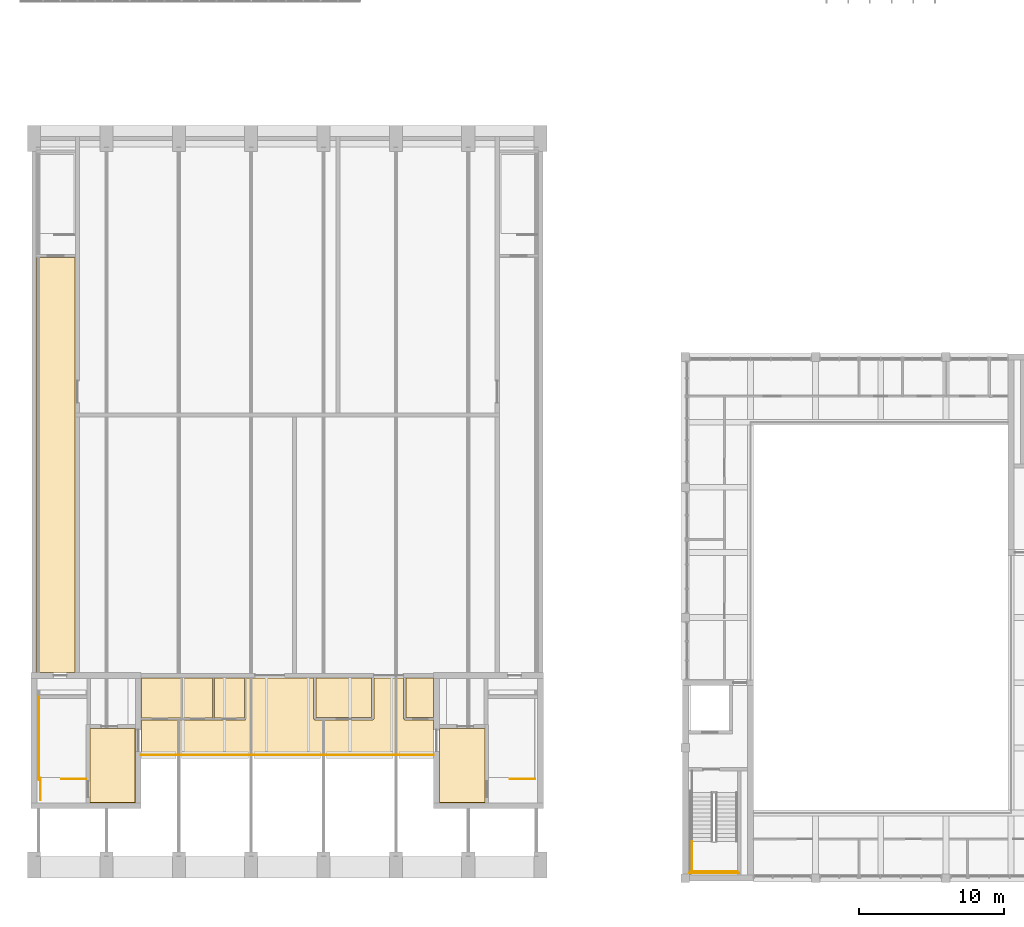
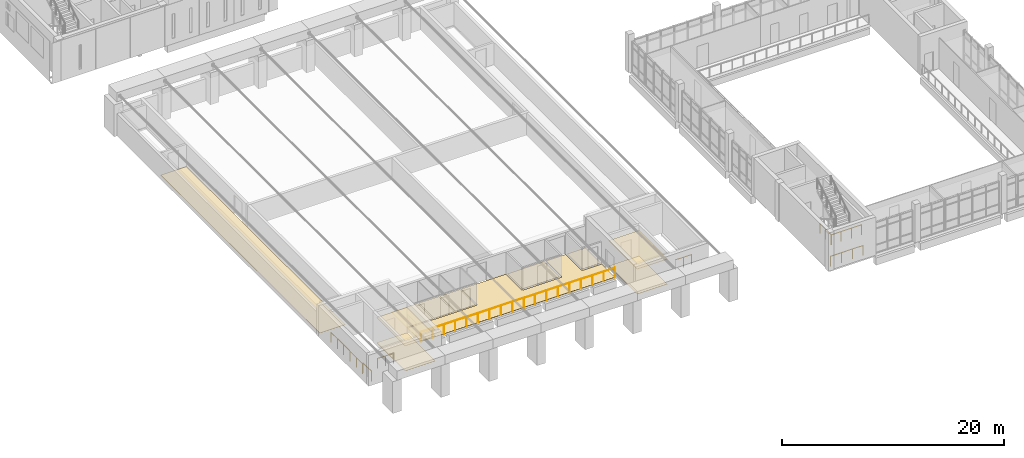
# One storey, part 69 of 92: 11 coverings, 8 railings.
"""IFC4 building model written with IfcOpenShell, lengths in metres."""

from ifc_helpers import new_model, si_unit, direction, frame, origin, origin_2d, place, context, subcontext, project, spatial, polyline, circle, outline, extrude, material, layer, layer_set, type_object, element, save


model = new_model("IFC4")

# Units and contexts
model_context = context("Model", 3, precision=1e-05, world=origin(), true_north=direction((0.0, 1.0)))
body_context = subcontext(model_context, "Body", "Model", "MODEL_VIEW")
ifc_project = project(units=[si_unit("LENGTHUNIT", "METRE"), si_unit("AREAUNIT", "SQUARE_METRE"), si_unit("VOLUMEUNIT", "CUBIC_METRE"), si_unit("PLANEANGLEUNIT", "RADIAN"), si_unit("MASSUNIT", "GRAM", prefix="KILO")], contexts=[model_context])

# Site, building, storey
site_placement = place(None, origin())
site = spatial("IfcSite", under=ifc_project, at=site_placement, CompositionType="ELEMENT")
building_placement = place(site_placement, origin())
building = spatial("IfcBuilding", under=site, at=building_placement, Name="Merrow Basin Faculty of Sciences", CompositionType="ELEMENT")
storey_placement = place(building_placement, frame((0.0, 0.0, 4.5)))
storey = spatial("IfcBuildingStorey", under=building, at=storey_placement, Name="L01", CompositionType="ELEMENT", Elevation=4.5)

# Coverings
ifc_material_1 = material(Name="Carpet tile floor")
ifc_layer_1 = layer(ifc_material_1, 0.02001953125)
ifc_layer_set_1 = layer_set([ifc_layer_1], Name="Carpet tile floor")
covering_type_1 = type_object("IfcCoveringType", Name="Carpet tile floor", PredefinedType="FLOORING", material=ifc_layer_set_1)
covering_1_placement = place(storey_placement, origin())
element("IfcCovering", 1, at=covering_1_placement, inside=storey, type_object=covering_type_1, Name="Floor finish L01-H-016", PredefinedType="FLOORING", context=body_context, shape_type="SweptSolid", body=[
    extrude(outline(polyline([(19.485107421875, 13.840087890625), (23.31494140625, 13.840087890625), (23.31494140625, 11.0849609375), (19.485107421875, 11.0849609375), (19.485107421875, 13.840087890625)])), origin(), (0.0, 0.0, 1.0), 0.02001953125),
])
covering_2_placement = place(storey_placement, origin())
element("IfcCovering", 2, at=covering_2_placement, inside=storey, type_object=covering_type_1, Name="Floor finish L01-H-017", PredefinedType="FLOORING", context=body_context, shape_type="SweptSolid", body=[
    extrude(outline(polyline([(25.68505859375, 13.840087890625), (27.590087890625, 13.840087890625), (27.590087890625, 11.0849609375), (25.68505859375, 11.0849609375), (25.68505859375, 13.840087890625)])), origin(), (0.0, 0.0, 1.0), 0.02001953125),
])
ifc_material_2 = material(Name="Ceramic floor tile")
ifc_layer_2 = layer(ifc_material_2, 0.02001953125)
ifc_layer_set_2 = layer_set([ifc_layer_2], Name="Ceramic floor tile")
covering_type_2 = type_object("IfcCoveringType", Name="Ceramic floor tile", PredefinedType="FLOORING", material=ifc_layer_set_2)
covering_3_placement = place(storey_placement, origin())
element("IfcCovering", 3, at=covering_3_placement, inside=storey, type_object=covering_type_2, Name="Floor finish L01-H-013", PredefinedType="FLOORING", context=body_context, shape_type="SweptSolid", body=[
    extrude(outline(polyline([(7.409912109375, 11.06005859375), (7.409912109375, 13.840087890625), (10.139892578125, 13.840087890625), (10.139892578125, 11.06005859375), (7.409912109375, 11.06005859375)])), origin(), (0.0, 0.0, 1.0), 0.02001953125),
])
covering_4_placement = place(storey_placement, origin())
element("IfcCovering", 4, at=covering_4_placement, inside=storey, type_object=covering_type_2, Name="Floor finish L01-H-014", PredefinedType="FLOORING", context=body_context, shape_type="SweptSolid", body=[
    extrude(outline(polyline([(12.340087890625, 11.06005859375), (10.260009765625, 11.06005859375), (10.260009765625, 13.840087890625), (12.340087890625, 13.840087890625), (12.340087890625, 11.06005859375)])), origin(), (0.0, 0.0, 1.0), 0.02001953125),
])
covering_5_placement = place(storey_placement, origin())
element("IfcCovering", 5, at=covering_5_placement, inside=storey, type_object=covering_type_2, Name="Floor finish L01-H-015", PredefinedType="FLOORING", context=body_context, shape_type="SweptSolid", body=[
    extrude(outline(polyline([(14.5400390625, 13.840087890625), (14.5400390625, 11.06005859375), (12.4599609375, 11.06005859375), (12.4599609375, 13.840087890625), (14.5400390625, 13.840087890625)])), origin(), (0.0, 0.0, 1.0), 0.02001953125),
])
ifc_material_3 = material(Name="Polished terrazzo floor")
ifc_layer_3 = layer(ifc_material_3, 0.02001953125)
ifc_layer_set_3 = layer_set([ifc_layer_3], Name="Polished terrazzo floor")
covering_type_3 = type_object("IfcCoveringType", Name="Polished terrazzo floor", PredefinedType="FLOORING", material=ifc_layer_set_3)
covering_6_placement = place(storey_placement, origin())
element("IfcCovering", 6, at=covering_6_placement, inside=storey, type_object=covering_type_3, Name="Floor finish L01-H-003", PredefinedType="FLOORING", context=body_context, shape_type="SweptSolid", body=[
    extrude(outline(polyline([(3.860107421875, 5.2099609375), (3.860107421875, 10.340087890625), (6.989990234375, 10.340087890625), (6.989990234375, 5.2099609375), (3.860107421875, 5.2099609375)])), origin(), (0.0, 0.0, 1.0), 0.02001953125),
])
covering_7_placement = place(storey_placement, origin())
element("IfcCovering", 7, at=covering_7_placement, inside=storey, type_object=covering_type_3, Name="Floor finish L01-H-007", PredefinedType="FLOORING", context=body_context, shape_type="SweptSolid", body=[
    extrude(outline(polyline([(28.010009765625, 5.2099609375), (28.010009765625, 10.340087890625), (31.139892578125, 10.340087890625), (31.139892578125, 5.2099609375), (28.010009765625, 5.2099609375)])), origin(), (0.0, 0.0, 1.0), 0.02001953125),
])
covering_8_placement = place(storey_placement, origin())
element("IfcCovering", 8, at=covering_8_placement, inside=storey, type_object=covering_type_3, Name="Floor finish L01-H-009", PredefinedType="FLOORING", context=body_context, shape_type="SweptSolid", body=[
    extrude(outline(polyline([(0.159912109375, 42.889892578125), (2.840087890625, 42.889892578125), (2.840087890625, 14.2099609375), (0.159912109375, 14.2099609375), (0.159912109375, 42.889892578125)])), origin(), (0.0, 0.0, 1.0), 0.02001953125),
])
covering_9_placement = place(storey_placement, origin())
element("IfcCovering", 9, at=covering_9_placement, inside=storey, type_object=covering_type_3, Name="Floor finish L01-H-018", PredefinedType="FLOORING", context=body_context, shape_type="SweptSolid", body=[
    extrude(outline(polyline([(7.409912109375, 8.510009765625), (7.409912109375, 10.93994140625), (14.610107421875, 10.93994140625), (14.610107421875, 10.989990234375), (14.659912109375, 10.989990234375), (14.659912109375, 13.840087890625), (19.31494140625, 13.840087890625), (19.31494140625, 10.989990234375), (19.389892578125, 10.989990234375), (19.389892578125, 10.9150390625), (23.409912109375, 10.9150390625), (23.409912109375, 10.989990234375), (23.485107421875, 10.989990234375), (23.485107421875, 13.840087890625), (25.514892578125, 13.840087890625), (25.514892578125, 10.989990234375), (25.590087890625, 10.989990234375), (25.590087890625, 10.9150390625), (27.590087890625, 10.9150390625), (27.590087890625, 8.510009765625), (7.409912109375, 8.510009765625)])), origin(), (0.0, 0.0, 1.0), 0.02001953125),
])

# Railings
ifc_material_4 = material(Name="Steel ASTM A36", Category="steel")
railing_type = type_object("IfcRailingType", Name="Steel guard 1100", PredefinedType="GUARDRAIL", material=ifc_material_4)
railing_1_placement = place(storey_placement, frame((3.60009765625, 6.85009765625, 0.0)))
element("IfcRailing", 10, at=railing_1_placement, inside=storey, type_object=railing_type, Name="L01 ST-V1-W top well guard 1", PredefinedType="GUARDRAIL", context=body_context, shape_type="SweptSolid", body=[
    extrude(circle(Radius=0.02392578125, at=origin_2d()), frame((0.0, 0.0, 1.076171875), z_axis=(-1.0, 0.0, 0.0), x_axis=(0.0, -1.0, 0.0)), (0.0, 0.0, 1.0), 1.7001953125),
    extrude(circle(Radius=0.02099609375, at=origin_2d()), origin(), (0.0, 0.0, 1.0), 1.052001953125),
    extrude(circle(Radius=0.02099609375, at=origin_2d()), frame((-0.85009765625, 0.0, 0.0)), (0.0, 0.0, 1.0), 1.052001953125),
    extrude(circle(Radius=0.02099609375, at=origin_2d()), frame((-1.7001953125, 0.0, 0.0)), (0.0, 0.0, 1.0), 1.052001953125),
])
railing_2_placement = place(storey_placement, frame((0.35009765625, 6.800048828125, 0.0)))
element("IfcRailing", 11, at=railing_2_placement, inside=storey, type_object=railing_type, Name="L01 ST-V1-W top well guard 2", PredefinedType="GUARDRAIL", context=body_context, shape_type="SweptSolid", body=[
    extrude(circle(Radius=0.02392578125, at=origin_2d()), frame((0.0, 0.0, 1.076171875), z_axis=(0.0, 1.0, 0.0), x_axis=(-1.0, 0.0, 0.0)), (0.0, 0.0, 1.0), 5.699951171875),
    extrude(circle(Radius=0.02099609375, at=origin_2d()), origin(), (0.0, 0.0, 1.0), 1.052001953125),
    extrude(circle(Radius=0.02099609375, at=origin_2d()), frame((0.0, 1.139892578125, 0.0)), (0.0, 0.0, 1.0), 1.052001953125),
    extrude(circle(Radius=0.02099609375, at=origin_2d()), frame((0.0, 2.280029296875, 0.0)), (0.0, 0.0, 1.0), 1.052001953125),
    extrude(circle(Radius=0.02099609375, at=origin_2d()), frame((0.0, 3.419921875, 0.0)), (0.0, 0.0, 1.0), 1.052001953125),
    extrude(circle(Radius=0.02099609375, at=origin_2d()), frame((0.0, 4.56005859375, 0.0)), (0.0, 0.0, 1.0), 1.052001953125),
    extrude(circle(Radius=0.02099609375, at=origin_2d()), frame((0.0, 5.699951171875, 0.0)), (0.0, 0.0, 1.0), 1.052001953125),
])
railing_3_placement = place(storey_placement, frame((0.449951171875, 5.39990234375, 0.0)))
element("IfcRailing", 12, at=railing_3_placement, inside=storey, type_object=railing_type, Name="L01 ST-V1-W top well guard 3", PredefinedType="GUARDRAIL", context=body_context, shape_type="SweptSolid", body=[
    extrude(circle(Radius=0.02392578125, at=origin_2d()), frame((0.0, 0.0, 1.076171875), z_axis=(0.0, 1.0, 0.0), x_axis=(-1.0, 0.0, 0.0)), (0.0, 0.0, 1.0), 1.5),
    extrude(circle(Radius=0.02099609375, at=origin_2d()), origin(), (0.0, 0.0, 1.0), 1.052001953125),
    extrude(circle(Radius=0.02099609375, at=origin_2d()), frame((0.0, 0.75, 0.0)), (0.0, 0.0, 1.0), 1.052001953125),
    extrude(circle(Radius=0.02099609375, at=origin_2d()), frame((0.0, 1.5, 0.0)), (0.0, 0.0, 1.0), 1.052001953125),
])
railing_4_placement = place(storey_placement, frame((34.60009765625, 6.85009765625, 0.0)))
element("IfcRailing", 13, at=railing_4_placement, inside=storey, type_object=railing_type, Name="L01 ST-V1-E top well guard 1", PredefinedType="GUARDRAIL", context=body_context, shape_type="SweptSolid", body=[
    extrude(circle(Radius=0.02392578125, at=origin_2d()), frame((0.0, 0.0, 1.076171875), z_axis=(-1.0, 0.0, 0.0), x_axis=(0.0, -1.0, 0.0)), (0.0, 0.0, 1.0), 1.7001953125),
    extrude(circle(Radius=0.02099609375, at=origin_2d()), origin(), (0.0, 0.0, 1.0), 1.052001953125),
    extrude(circle(Radius=0.02099609375, at=origin_2d()), frame((-0.85009765625, 0.0, 0.0)), (0.0, 0.0, 1.0), 1.052001953125),
    extrude(circle(Radius=0.02099609375, at=origin_2d()), frame((-1.7001953125, 0.0, 0.0)), (0.0, 0.0, 1.0), 1.052001953125),
])
railing_5_placement = place(storey_placement, frame((45.449951171875, 2.5400390625, 2.25)))
element("IfcRailing", 14, at=railing_5_placement, inside=storey, type_object=railing_type, Name="L01 ST-V3-W stair guard 3", PredefinedType="GUARDRAIL", context=body_context, shape_type="SweptSolid", body=[
    extrude(circle(Radius=0.02392578125, at=origin_2d()), frame((0.0, 0.0, 1.076171875), z_axis=(0.0, -1.0, 0.0), x_axis=(1.0, 0.0, 0.0)), (0.0, 0.0, 1.0), 2.14013671875),
    extrude(circle(Radius=0.02099609375, at=origin_2d()), origin(), (0.0, 0.0, 1.0), 1.052001953125),
    extrude(circle(Radius=0.02099609375, at=origin_2d()), frame((0.0, -1.070068359375, 0.0)), (0.0, 0.0, 1.0), 1.052001953125),
    extrude(circle(Radius=0.02099609375, at=origin_2d()), frame((0.0, -2.14013671875, 0.0)), (0.0, 0.0, 1.0), 1.052001953125),
])
railing_6_placement = place(storey_placement, frame((45.39990234375, 0.449951171875, 2.25)))
element("IfcRailing", 15, at=railing_6_placement, inside=storey, type_object=railing_type, Name="L01 ST-V3-W stair guard 4", PredefinedType="GUARDRAIL", context=body_context, shape_type="SweptSolid", body=[
    extrude(circle(Radius=0.02392578125, at=origin_2d()), frame((0.0, 0.0, 1.076171875), z_axis=(1.0, 0.0, 0.0), x_axis=(0.0, 1.0, 0.0)), (0.0, 0.0, 1.0), 3.2001953125),
    extrude(circle(Radius=0.02099609375, at=origin_2d()), origin(), (0.0, 0.0, 1.0), 1.052001953125),
    extrude(circle(Radius=0.02099609375, at=origin_2d()), frame((1.066650390625, 0.0, 0.0)), (0.0, 0.0, 1.0), 1.052001953125),
    extrude(circle(Radius=0.02099609375, at=origin_2d()), frame((2.133544921875, 0.0, 0.0)), (0.0, 0.0, 1.0), 1.052001953125),
    extrude(circle(Radius=0.02099609375, at=origin_2d()), frame((3.2001953125, 0.0, 0.0)), (0.0, 0.0, 1.0), 1.052001953125),
])
railing_7_placement = place(storey_placement, frame((45.300048828125, 0.35009765625, 0.0)))
element("IfcRailing", 16, at=railing_7_placement, inside=storey, type_object=railing_type, Name="L01 ST-V3-W stair guard 9", PredefinedType="GUARDRAIL", context=body_context, shape_type="SweptSolid", body=[
    extrude(circle(Radius=0.02392578125, at=origin_2d()), frame((0.0, 0.0, 1.076171875), z_axis=(1.0, 0.0, 0.0), x_axis=(0.0, 1.0, 0.0)), (0.0, 0.0, 1.0), 3.39990234375),
    extrude(circle(Radius=0.02099609375, at=origin_2d()), origin(), (0.0, 0.0, 1.0), 1.052001953125),
    extrude(circle(Radius=0.02099609375, at=origin_2d()), frame((1.13330078125, 0.0, 0.0)), (0.0, 0.0, 1.0), 1.052001953125),
    extrude(circle(Radius=0.02099609375, at=origin_2d()), frame((2.2666015625, 0.0, 0.0)), (0.0, 0.0, 1.0), 1.052001953125),
    extrude(circle(Radius=0.02099609375, at=origin_2d()), frame((3.39990234375, 0.0, 0.0)), (0.0, 0.0, 1.0), 1.052001953125),
])
railing_8_placement = place(storey_placement, frame((7.39990234375, 8.5, 0.0)))
element("IfcRailing", 17, at=railing_8_placement, inside=storey, type_object=railing_type, Name="Gallery guard L01", PredefinedType="GUARDRAIL", context=body_context, shape_type="SweptSolid", body=[
    extrude(circle(Radius=0.02392578125, at=origin_2d()), frame((0.0, 0.0, 1.076171875), z_axis=(1.0, 0.0, 0.0), x_axis=(0.0, 1.0, 0.0)), (0.0, 0.0, 1.0), 20.2001953125),
    extrude(circle(Radius=0.02099609375, at=origin_2d()), origin(), (0.0, 0.0, 1.0), 1.052001953125),
    extrude(circle(Radius=0.02099609375, at=origin_2d()), frame((1.188232421875, 0.0, 0.0)), (0.0, 0.0, 1.0), 1.052001953125),
    extrude(circle(Radius=0.02099609375, at=origin_2d()), frame((2.37646484375, 0.0, 0.0)), (0.0, 0.0, 1.0), 1.052001953125),
    extrude(circle(Radius=0.02099609375, at=origin_2d()), frame((3.564697265625, 0.0, 0.0)), (0.0, 0.0, 1.0), 1.052001953125),
    extrude(circle(Radius=0.02099609375, at=origin_2d()), frame((4.7529296875, 0.0, 0.0)), (0.0, 0.0, 1.0), 1.052001953125),
    extrude(circle(Radius=0.02099609375, at=origin_2d()), frame((5.941162109375, 0.0, 0.0)), (0.0, 0.0, 1.0), 1.052001953125),
    extrude(circle(Radius=0.02099609375, at=origin_2d()), frame((7.12939453125, 0.0, 0.0)), (0.0, 0.0, 1.0), 1.052001953125),
    extrude(circle(Radius=0.02099609375, at=origin_2d()), frame((8.317626953125, 0.0, 0.0)), (0.0, 0.0, 1.0), 1.052001953125),
    extrude(circle(Radius=0.02099609375, at=origin_2d()), frame((9.505859375, 0.0, 0.0)), (0.0, 0.0, 1.0), 1.052001953125),
    extrude(circle(Radius=0.02099609375, at=origin_2d()), frame((10.6943359375, 0.0, 0.0)), (0.0, 0.0, 1.0), 1.052001953125),
    extrude(circle(Radius=0.02099609375, at=origin_2d()), frame((11.882568359375, 0.0, 0.0)), (0.0, 0.0, 1.0), 1.052001953125),
    extrude(circle(Radius=0.02099609375, at=origin_2d()), frame((13.07080078125, 0.0, 0.0)), (0.0, 0.0, 1.0), 1.052001953125),
    extrude(circle(Radius=0.02099609375, at=origin_2d()), frame((14.259033203125, 0.0, 0.0)), (0.0, 0.0, 1.0), 1.052001953125),
    extrude(circle(Radius=0.02099609375, at=origin_2d()), frame((15.447265625, 0.0, 0.0)), (0.0, 0.0, 1.0), 1.052001953125),
    extrude(circle(Radius=0.02099609375, at=origin_2d()), frame((16.635498046875, 0.0, 0.0)), (0.0, 0.0, 1.0), 1.052001953125),
    extrude(circle(Radius=0.02099609375, at=origin_2d()), frame((17.82373046875, 0.0, 0.0)), (0.0, 0.0, 1.0), 1.052001953125),
    extrude(circle(Radius=0.02099609375, at=origin_2d()), frame((19.011962890625, 0.0, 0.0)), (0.0, 0.0, 1.0), 1.052001953125),
    extrude(circle(Radius=0.02099609375, at=origin_2d()), frame((20.2001953125, 0.0, 0.0)), (0.0, 0.0, 1.0), 1.052001953125),
])

# Coverings
ifc_material_5 = material(Name="Mineral fibre ceiling tile")
ifc_layer_4 = layer(ifc_material_5, 0.050048828125)
ifc_layer_set_4 = layer_set([ifc_layer_4], Name="Suspended acoustic ceiling tile")
covering_type_4 = type_object("IfcCoveringType", Name="Suspended acoustic ceiling tile", PredefinedType="CEILING", material=ifc_layer_set_4)
covering_10_placement = place(storey_placement, frame((0.0, 0.0, 2.75)))
element("IfcCovering", 18, at=covering_10_placement, inside=storey, type_object=covering_type_4, Name="Ceiling L01-H-003", PredefinedType="CEILING", context=body_context, shape_type="SweptSolid", body=[
    extrude(outline(polyline([(3.85009765625, 5.199951171875), (3.85009765625, 10.35009765625), (7.0, 10.35009765625), (7.0, 5.199951171875), (3.85009765625, 5.199951171875)])), origin(), (0.0, 0.0, 1.0), 0.050048828125),
])
covering_11_placement = place(storey_placement, frame((0.0, 0.0, 2.75)))
element("IfcCovering", 19, at=covering_11_placement, inside=storey, type_object=covering_type_4, Name="Ceiling L01-H-007", PredefinedType="CEILING", context=body_context, shape_type="SweptSolid", body=[
    extrude(outline(polyline([(28.0, 5.199951171875), (28.0, 10.35009765625), (31.14990234375, 10.35009765625), (31.14990234375, 5.199951171875), (28.0, 5.199951171875)])), origin(), (0.0, 0.0, 1.0), 0.050048828125),
])

save(model, "model.ifc")
